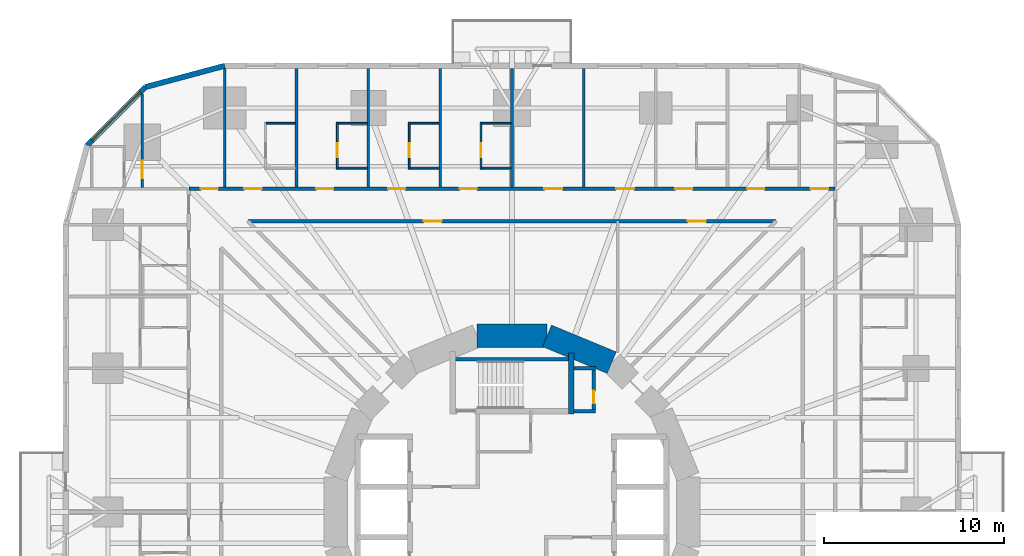
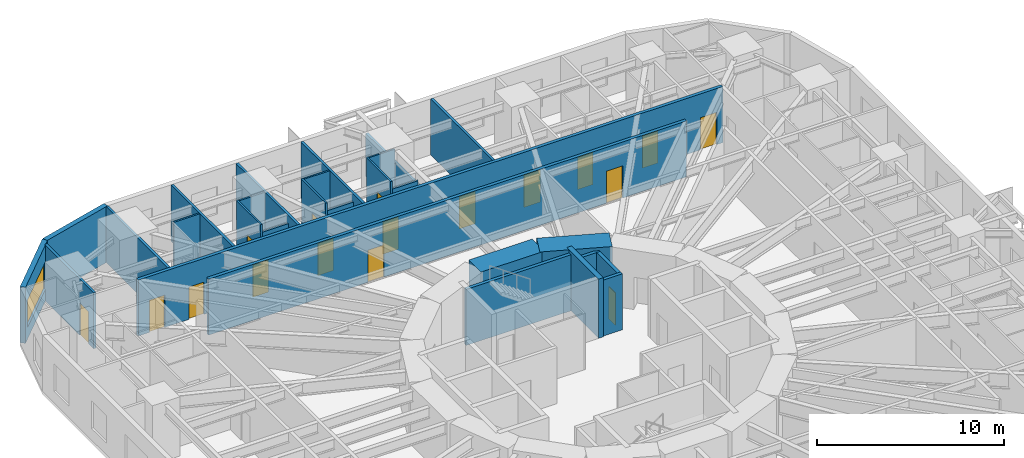
# One storey, part 10 of 14: 28 walls, 17 doors, 1 window, 18 openings.
"""IFC4 building model written with IfcOpenShell, lengths in metres."""

from ifc_helpers import new_model, si_unit, direction, frame, frame_2d, origin, place, context, subcontext, project, spatial, rectangle, extrude, material, layer, layer_set, type_object, element, fill, save


model = new_model("IFC4")

# Units and contexts
model_context = context("Model", 3, precision=1e-05, world=origin(), true_north=direction((0.0, 1.0)))
body_context = subcontext(model_context, "Body", "Model", "MODEL_VIEW")
ifc_project = project(units=[si_unit("LENGTHUNIT", "METRE"), si_unit("AREAUNIT", "SQUARE_METRE"), si_unit("VOLUMEUNIT", "CUBIC_METRE"), si_unit("PLANEANGLEUNIT", "RADIAN"), si_unit("MASSUNIT", "GRAM", prefix="KILO")], contexts=[model_context])

# Site, building, storey
site_placement = place(None, origin())
site = spatial("IfcSite", under=ifc_project, at=site_placement, CompositionType="ELEMENT")
building_placement = place(site_placement, origin())
building = spatial("IfcBuilding", under=site, at=building_placement, Name="Nakasero Lantern House", CompositionType="ELEMENT")
storey_placement = place(building_placement, frame((0.0, 0.0, 42.949951171875)))
storey = spatial("IfcBuildingStorey", under=building, at=storey_placement, Name="L10", CompositionType="ELEMENT", Elevation=42.949951171875)

# Walls
ifc_material_1 = material(Name="Concrete C50/60", Category="concrete")
ifc_layer_1 = layer(ifc_material_1, 0.300048828125)
ifc_layer_set_1 = layer_set([ifc_layer_1], Name="Core inner wall 300")
wall_type_1 = type_object("IfcWallType", Name="Core inner wall 300", PredefinedType="SHEAR", material=ifc_layer_set_1)
wall_1_placement = place(storey_placement, frame((3.300048828125, 5.449951171875, 0.0), z_axis=(0.0, 0.0, 1.0), x_axis=(0.0, 1.0, 0.0)))
element("IfcWall", 1, at=wall_1_placement, inside=storey, type_object=wall_type_1, Name="Core inner wall L10 SNE", PredefinedType="SHEAR", context=body_context, shape_type="SweptSolid", body=[
    extrude(rectangle(XDim=3.400146484375, YDim=0.300048828125, at=frame_2d((1.7001953125, 0.0))), origin(), (0.0, 0.0, 1.0), 3.85009765625),
])
ifc_material_2 = material(Name="Concrete C50/60", Category="concrete")
ifc_layer_2 = layer(ifc_material_2, 1.300048828125)
ifc_layer_set_2 = layer_set([ifc_layer_2], Name="Core wall 1300")
wall_type_2 = type_object("IfcWallType", Name="Core wall 1300", PredefinedType="SHEAR", material=ifc_layer_set_2)
for number, where, z_axis, x_axis, name in (
    (2, (5.5556640625, 8.314697265625, 0.0), (0.0, 0.0, 1.0), (-0.923876507187, 0.382690736062, 0.0), "Core wall L10 facet 3"),
    (3, (1.950927734375, 9.807861328125, 0.0), (0.0, 0.0, 1.0), (-1.0, 0.0, 0.0), "Core wall L10 facet 4"),
):
    element("IfcWall", number, at=place(storey_placement, frame(where, z_axis=z_axis, x_axis=x_axis)), inside=storey, type_object=wall_type_2, Name=name, PredefinedType="SHEAR", context=body_context, shape_type="SweptSolid", body=[
        extrude(rectangle(XDim=3.90185546875, YDim=1.300048828125, at=frame_2d((1.950927734375, 0.0))), origin(), (0.0, 0.0, 1.0), 3.85009765625),
    ])

# Wall, openings, doors
ifc_material_3 = material(Name="Blockwork", Category="masonry")
ifc_layer_3 = layer(ifc_material_3, 0.199951171875)
ifc_layer_set_3 = layer_set([ifc_layer_3], Name="Corridor wall 200")
wall_type_3 = type_object("IfcWallType", Name="Corridor wall 200", PredefinedType="PARTITIONING", material=ifc_layer_set_3)
wall_2_placement = place(storey_placement, frame((18.0, 18.0, 0.0), z_axis=(0.0, 0.0, 1.0), x_axis=(-1.0, 0.0, 0.0)))
wall_2 = element("IfcWall", 4, at=wall_2_placement, inside=storey, type_object=wall_type_3, Name="Corridor wall L10 CW1", PredefinedType="PARTITIONING", context=body_context, shape_type="SweptSolid", body=[
    extrude(rectangle(XDim=36.0, YDim=0.199951171875, at=frame_2d((18.0, 0.0))), origin(), (0.0, 0.0, 1.0), 3.650146484375),
])
opening_1_placement = place(wall_2_placement, frame((0.375, 0.0, 0.0)))
opening_1 = element("IfcOpeningElement", 5, at=opening_1_placement, cuts=wall_2, Name="Opening D07", PredefinedType="OPENING", context=body_context, shape_type="SweptSolid", body=[
    extrude(rectangle(XDim=1.0, YDim=2.10009765625, at=frame_2d((0.5, 1.050048828125))), frame((0.0, 0.119873046875, 0.0), z_axis=(0.0, -1.0, 0.0), x_axis=(1.0, 0.0, 0.0)), (0.0, 0.0, 1.0), 0.239990234375),
])
opening_2_placement = place(wall_2_placement, frame((3.949951171875, 0.0, 0.0)))
opening_2 = element("IfcOpeningElement", 6, at=opening_2_placement, cuts=wall_2, Name="Opening D01", PredefinedType="OPENING", context=body_context, shape_type="SweptSolid", body=[
    extrude(rectangle(XDim=0.949951171875, YDim=2.10009765625, at=frame_2d((0.47509765625, 1.050048828125))), frame((0.0, 0.119873046875, 0.0), z_axis=(0.0, -1.0, 0.0), x_axis=(1.0, 0.0, 0.0)), (0.0, 0.0, 1.0), 0.239990234375),
])
opening_3_placement = place(wall_2_placement, frame((7.949951171875, 0.0, 0.0)))
opening_3 = element("IfcOpeningElement", 7, at=opening_3_placement, cuts=wall_2, Name="Opening D01", PredefinedType="OPENING", context=body_context, shape_type="SweptSolid", body=[
    extrude(rectangle(XDim=0.949951171875, YDim=2.10009765625, at=frame_2d((0.47509765625, 1.050048828125))), frame((0.0, 0.119873046875, 0.0), z_axis=(0.0, -1.0, 0.0), x_axis=(1.0, 0.0, 0.0)), (0.0, 0.0, 1.0), 0.239990234375),
])
opening_4_placement = place(wall_2_placement, frame((19.949951171875, 0.0, 0.0)))
opening_4 = element("IfcOpeningElement", 8, at=opening_4_placement, cuts=wall_2, Name="Opening D01", PredefinedType="OPENING", context=body_context, shape_type="SweptSolid", body=[
    extrude(rectangle(XDim=0.949951171875, YDim=2.10009765625, at=frame_2d((0.47509765625, 1.050048828125))), frame((0.0, 0.119873046875, 0.0), z_axis=(0.0, -1.0, 0.0), x_axis=(1.0, 0.0, 0.0)), (0.0, 0.0, 1.0), 0.239990234375),
])
opening_5_placement = place(wall_2_placement, frame((23.949951171875, 0.0, 0.0)))
opening_5 = element("IfcOpeningElement", 9, at=opening_5_placement, cuts=wall_2, Name="Opening D01", PredefinedType="OPENING", context=body_context, shape_type="SweptSolid", body=[
    extrude(rectangle(XDim=0.949951171875, YDim=2.10009765625, at=frame_2d((0.47509765625, 1.050048828125))), frame((0.0, 0.119873046875, 0.0), z_axis=(0.0, -1.0, 0.0), x_axis=(1.0, 0.0, 0.0)), (0.0, 0.0, 1.0), 0.239990234375),
])
opening_6_placement = place(wall_2_placement, frame((27.949951171875, 0.0, 0.0)))
opening_6 = element("IfcOpeningElement", 10, at=opening_6_placement, cuts=wall_2, Name="Opening D01", PredefinedType="OPENING", context=body_context, shape_type="SweptSolid", body=[
    extrude(rectangle(XDim=0.949951171875, YDim=2.10009765625, at=frame_2d((0.47509765625, 1.050048828125))), frame((0.0, 0.119873046875, 0.0), z_axis=(0.0, -1.0, 0.0), x_axis=(1.0, 0.0, 0.0)), (0.0, 0.0, 1.0), 0.239990234375),
])
opening_7_placement = place(wall_2_placement, frame((31.949951171875, 0.0, 0.0)))
opening_7 = element("IfcOpeningElement", 11, at=opening_7_placement, cuts=wall_2, Name="Opening D01", PredefinedType="OPENING", context=body_context, shape_type="SweptSolid", body=[
    extrude(rectangle(XDim=0.949951171875, YDim=2.10009765625, at=frame_2d((0.47509765625, 1.050048828125))), frame((0.0, 0.119873046875, 0.0), z_axis=(0.0, -1.0, 0.0), x_axis=(1.0, 0.0, 0.0)), (0.0, 0.0, 1.0), 0.239990234375),
])
opening_8_placement = place(wall_2_placement, frame((34.375, 0.0, 0.0)))
opening_8 = element("IfcOpeningElement", 12, at=opening_8_placement, cuts=wall_2, Name="Opening D01", PredefinedType="OPENING", context=body_context, shape_type="SweptSolid", body=[
    extrude(rectangle(XDim=0.949951171875, YDim=2.10009765625, at=frame_2d((0.47509765625, 1.050048828125))), frame((0.0, 0.119873046875, 0.0), z_axis=(0.0, -1.0, 0.0), x_axis=(1.0, 0.0, 0.0)), (0.0, 0.0, 1.0), 0.239990234375),
])
opening_9_placement = place(wall_2_placement, frame((11.199951171875, 0.0, 0.0)))
opening_9 = element("IfcOpeningElement", 13, at=opening_9_placement, cuts=wall_2, Name="Opening D03", PredefinedType="OPENING", context=body_context, shape_type="SweptSolid", body=[
    extrude(rectangle(XDim=1.0, YDim=2.10009765625, at=frame_2d((0.5, 1.050048828125))), frame((0.0, 0.119873046875, 0.0), z_axis=(0.0, -1.0, 0.0), x_axis=(1.0, 0.0, 0.0)), (0.0, 0.0, 1.0), 0.239990234375),
])
opening_10_placement = place(wall_2_placement, frame((15.199951171875, 0.0, 0.0)))
opening_10 = element("IfcOpeningElement", 14, at=opening_10_placement, cuts=wall_2, Name="Opening D03", PredefinedType="OPENING", context=body_context, shape_type="SweptSolid", body=[
    extrude(rectangle(XDim=1.0, YDim=2.10009765625, at=frame_2d((0.5, 1.050048828125))), frame((0.0, 0.119873046875, 0.0), z_axis=(0.0, -1.0, 0.0), x_axis=(1.0, 0.0, 0.0)), (0.0, 0.0, 1.0), 0.239990234375),
])
ifc_material_4 = material(Name="Timber C24", Category="wood")
door_type_1 = type_object("IfcDoorType", Name="Bedroom door FD30S 950", OperationType="SINGLE_SWING_LEFT", PredefinedType="DOOR", material=ifc_material_4)
door_1_placement = place(opening_2_placement, origin())
door_1 = element("IfcDoor", 15, at=door_1_placement, inside=storey, type_object=door_type_1, Name="Door L10 D1-01", OperationType="SINGLE_SWING_LEFT", OverallHeight=2.10009765625, OverallWidth=0.949951171875, PredefinedType="DOOR", context=body_context, shape_type="SweptSolid", body=[
    extrude(rectangle(XDim=0.949951171875, YDim=2.10009765625, at=frame_2d((0.47509765625, 1.050048828125))), frame((0.0, 0.02490234375, 0.0), z_axis=(0.0, -1.0, 0.0), x_axis=(1.0, 0.0, 0.0)), (0.0, 0.0, 1.0), 0.050048828125),
])
fill(opening_2, door_1)
door_2_placement = place(opening_3_placement, origin())
door_2 = element("IfcDoor", 16, at=door_2_placement, inside=storey, type_object=door_type_1, Name="Door L10 D1-02", OperationType="SINGLE_SWING_LEFT", OverallHeight=2.10009765625, OverallWidth=0.949951171875, PredefinedType="DOOR", context=body_context, shape_type="SweptSolid", body=[
    extrude(rectangle(XDim=0.949951171875, YDim=2.10009765625, at=frame_2d((0.47509765625, 1.050048828125))), frame((0.0, 0.02490234375, 0.0), z_axis=(0.0, -1.0, 0.0), x_axis=(1.0, 0.0, 0.0)), (0.0, 0.0, 1.0), 0.050048828125),
])
fill(opening_3, door_2)
door_3_placement = place(opening_4_placement, origin())
door_3 = element("IfcDoor", 17, at=door_3_placement, inside=storey, type_object=door_type_1, Name="Door L10 D1-05", OperationType="SINGLE_SWING_RIGHT", OverallHeight=2.10009765625, OverallWidth=0.949951171875, PredefinedType="DOOR", context=body_context, shape_type="SweptSolid", body=[
    extrude(rectangle(XDim=0.949951171875, YDim=2.10009765625, at=frame_2d((0.47509765625, 1.050048828125))), frame((0.0, 0.02490234375, 0.0), z_axis=(0.0, -1.0, 0.0), x_axis=(1.0, 0.0, 0.0)), (0.0, 0.0, 1.0), 0.050048828125),
])
fill(opening_4, door_3)
door_4_placement = place(opening_5_placement, origin())
door_4 = element("IfcDoor", 18, at=door_4_placement, inside=storey, type_object=door_type_1, Name="Door L10 D1-06", OperationType="SINGLE_SWING_RIGHT", OverallHeight=2.10009765625, OverallWidth=0.949951171875, PredefinedType="DOOR", context=body_context, shape_type="SweptSolid", body=[
    extrude(rectangle(XDim=0.949951171875, YDim=2.10009765625, at=frame_2d((0.47509765625, 1.050048828125))), frame((0.0, 0.02490234375, 0.0), z_axis=(0.0, -1.0, 0.0), x_axis=(1.0, 0.0, 0.0)), (0.0, 0.0, 1.0), 0.050048828125),
])
fill(opening_5, door_4)
door_5_placement = place(opening_6_placement, origin())
door_5 = element("IfcDoor", 19, at=door_5_placement, inside=storey, type_object=door_type_1, Name="Door L10 D1-07", OperationType="SINGLE_SWING_RIGHT", OverallHeight=2.10009765625, OverallWidth=0.949951171875, PredefinedType="DOOR", context=body_context, shape_type="SweptSolid", body=[
    extrude(rectangle(XDim=0.949951171875, YDim=2.10009765625, at=frame_2d((0.47509765625, 1.050048828125))), frame((0.0, 0.02490234375, 0.0), z_axis=(0.0, -1.0, 0.0), x_axis=(1.0, 0.0, 0.0)), (0.0, 0.0, 1.0), 0.050048828125),
])
fill(opening_6, door_5)
door_6_placement = place(opening_7_placement, origin())
door_6 = element("IfcDoor", 20, at=door_6_placement, inside=storey, type_object=door_type_1, Name="Door L10 D1-08", OperationType="SINGLE_SWING_RIGHT", OverallHeight=2.10009765625, OverallWidth=0.949951171875, PredefinedType="DOOR", context=body_context, shape_type="SweptSolid", body=[
    extrude(rectangle(XDim=0.949951171875, YDim=2.10009765625, at=frame_2d((0.47509765625, 1.050048828125))), frame((0.0, 0.02490234375, 0.0), z_axis=(0.0, -1.0, 0.0), x_axis=(1.0, 0.0, 0.0)), (0.0, 0.0, 1.0), 0.050048828125),
])
fill(opening_7, door_6)
door_7_placement = place(opening_8_placement, origin())
door_7 = element("IfcDoor", 21, at=door_7_placement, inside=storey, type_object=door_type_1, Name="Door L10 D1-09", OperationType="SINGLE_SWING_RIGHT", OverallHeight=2.10009765625, OverallWidth=0.949951171875, PredefinedType="DOOR", context=body_context, shape_type="SweptSolid", body=[
    extrude(rectangle(XDim=0.949951171875, YDim=2.10009765625, at=frame_2d((0.47509765625, 1.050048828125))), frame((0.0, 0.02490234375, 0.0), z_axis=(0.0, -1.0, 0.0), x_axis=(1.0, 0.0, 0.0)), (0.0, 0.0, 1.0), 0.050048828125),
])
fill(opening_8, door_7)
ifc_material_5 = material(Name="Timber C24", Category="wood")
door_type_2 = type_object("IfcDoorType", Name="Lounge door FD30S 1000", OperationType="SINGLE_SWING_LEFT", PredefinedType="DOOR", material=ifc_material_5)
door_8_placement = place(opening_9_placement, origin())
door_8 = element("IfcDoor", 22, at=door_8_placement, inside=storey, type_object=door_type_2, Name="Door L10 DK1", OperationType="SINGLE_SWING_LEFT", OverallHeight=2.10009765625, OverallWidth=1.0, PredefinedType="DOOR", context=body_context, shape_type="SweptSolid", body=[
    extrude(rectangle(XDim=1.0, YDim=2.10009765625, at=frame_2d((0.5, 1.050048828125))), frame((0.0, 0.02490234375, 0.0), z_axis=(0.0, -1.0, 0.0), x_axis=(1.0, 0.0, 0.0)), (0.0, 0.0, 1.0), 0.050048828125),
])
fill(opening_9, door_8)
door_9_placement = place(opening_10_placement, origin())
door_9 = element("IfcDoor", 23, at=door_9_placement, inside=storey, type_object=door_type_2, Name="Door L10 DK1-1", OperationType="SINGLE_SWING_LEFT", OverallHeight=2.10009765625, OverallWidth=1.0, PredefinedType="DOOR", context=body_context, shape_type="SweptSolid", body=[
    extrude(rectangle(XDim=1.0, YDim=2.10009765625, at=frame_2d((0.5, 1.050048828125))), frame((0.0, 0.02490234375, 0.0), z_axis=(0.0, -1.0, 0.0), x_axis=(1.0, 0.0, 0.0)), (0.0, 0.0, 1.0), 0.050048828125),
])
fill(opening_10, door_9)
ifc_material_6 = material(Name="Timber C24", Category="wood")
door_type_3 = type_object("IfcDoorType", Name="Room door FD30S 1000", OperationType="SINGLE_SWING_LEFT", PredefinedType="DOOR", material=ifc_material_6)
door_10_placement = place(opening_1_placement, origin())
door_10 = element("IfcDoor", 24, at=door_10_placement, inside=storey, type_object=door_type_3, Name="Door L10 D1-00", OperationType="SINGLE_SWING_LEFT", OverallHeight=2.10009765625, OverallWidth=1.0, PredefinedType="DOOR", context=body_context, shape_type="SweptSolid", body=[
    extrude(rectangle(XDim=1.0, YDim=2.10009765625, at=frame_2d((0.5, 1.050048828125))), frame((0.0, 0.02490234375, 0.0), z_axis=(0.0, -1.0, 0.0), x_axis=(1.0, 0.0, 0.0)), (0.0, 0.0, 1.0), 0.050048828125),
])
fill(opening_1, door_10)

wall_3_placement = place(storey_placement, frame((14.715087890625, 16.199951171875, 0.0), z_axis=(0.0, 0.0, 1.0), x_axis=(-1.0, 0.0, 0.0)))
wall_3 = element("IfcWall", 25, at=wall_3_placement, inside=storey, type_object=wall_type_3, Name="Corridor wall L10 IW1-0", PredefinedType="PARTITIONING", context=body_context, shape_type="SweptSolid", body=[
    extrude(rectangle(XDim=29.43017578125, YDim=0.199951171875, at=frame_2d((14.715087890625, 0.0))), origin(), (0.0, 0.0, 1.0), 3.650146484375),
])
opening_11_placement = place(wall_3_placement, frame((3.91455078125, 0.0, 0.0)))
opening_11 = element("IfcOpeningElement", 26, at=opening_11_placement, cuts=wall_3, Name="Opening D07", PredefinedType="OPENING", context=body_context, shape_type="SweptSolid", body=[
    extrude(rectangle(XDim=1.0, YDim=2.10009765625, at=frame_2d((0.5, 1.050048828125))), frame((0.0, 0.119873046875, 0.0), z_axis=(0.0, -1.0, 0.0), x_axis=(1.0, 0.0, 0.0)), (0.0, 0.0, 1.0), 0.239990234375),
])
opening_12_placement = place(wall_3_placement, frame((18.629638671875, 0.0, 0.0)))
opening_12 = element("IfcOpeningElement", 27, at=opening_12_placement, cuts=wall_3, Name="Opening D07", PredefinedType="OPENING", context=body_context, shape_type="SweptSolid", body=[
    extrude(rectangle(XDim=1.0, YDim=2.10009765625, at=frame_2d((0.5, 1.050048828125))), frame((0.0, 0.119873046875, 0.0), z_axis=(0.0, -1.0, 0.0), x_axis=(1.0, 0.0, 0.0)), (0.0, 0.0, 1.0), 0.239990234375),
])
door_11_placement = place(opening_11_placement, origin())
door_11 = element("IfcDoor", 28, at=door_11_placement, inside=storey, type_object=door_type_3, Name="Door L10 DI2", OperationType="SINGLE_SWING_LEFT", OverallHeight=2.10009765625, OverallWidth=1.0, PredefinedType="DOOR", context=body_context, shape_type="SweptSolid", body=[
    extrude(rectangle(XDim=1.0, YDim=2.10009765625, at=frame_2d((0.5, 1.050048828125))), frame((0.0, 0.02490234375, 0.0), z_axis=(0.0, -1.0, 0.0), x_axis=(1.0, 0.0, 0.0)), (0.0, 0.0, 1.0), 0.050048828125),
])
fill(opening_11, door_11)
door_12_placement = place(opening_12_placement, origin())
door_12 = element("IfcDoor", 29, at=door_12_placement, inside=storey, type_object=door_type_3, Name="Door L10 DI2S", OperationType="SINGLE_SWING_RIGHT", OverallHeight=2.10009765625, OverallWidth=1.0, PredefinedType="DOOR", context=body_context, shape_type="SweptSolid", body=[
    extrude(rectangle(XDim=1.0, YDim=2.10009765625, at=frame_2d((0.5, 1.050048828125))), frame((0.0, 0.02490234375, 0.0), z_axis=(0.0, -1.0, 0.0), x_axis=(1.0, 0.0, 0.0)), (0.0, 0.0, 1.0), 0.050048828125),
])
fill(opening_12, door_12)

# Wall, opening, door
ifc_material_7 = material(Name="Blockwork", Category="masonry")
ifc_layer_4 = layer(ifc_material_7, 0.10009765625)
ifc_layer_set_4 = layer_set([ifc_layer_4], Name="En-suite wall 100")
wall_type_4 = type_object("IfcWallType", Name="En-suite wall 100", PredefinedType="PARTITIONING", material=ifc_layer_set_4)
wall_4_placement = place(storey_placement, frame((-1.72509765625, 19.10009765625, 0.0), z_axis=(0.0, 0.0, 1.0), x_axis=(0.0, 1.0, 0.0)))
wall_4 = element("IfcWall", 30, at=wall_4_placement, inside=storey, type_object=wall_type_4, Name="En-suite wall L10 ES1-05", PredefinedType="PARTITIONING", context=body_context, shape_type="SweptSolid", body=[
    extrude(rectangle(XDim=2.599853515625, YDim=0.10009765625, at=frame_2d((1.2998046875, 0.0))), origin(), (0.0, 0.0, 1.0), 3.650146484375),
])
opening_13_placement = place(wall_4_placement, frame((0.64990234375, 0.0, 0.0)))
opening_13 = element("IfcOpeningElement", 31, at=opening_13_placement, cuts=wall_4, Name="Opening D02", PredefinedType="OPENING", context=body_context, shape_type="SweptSolid", body=[
    extrude(rectangle(XDim=0.800048828125, YDim=2.10009765625, at=frame_2d((0.39990234375, 1.050048828125))), frame((0.0, 0.070068359375, 0.0), z_axis=(0.0, -1.0, 0.0), x_axis=(1.0, 0.0, 0.0)), (0.0, 0.0, 1.0), 0.14013671875),
])
ifc_material_8 = material(Name="Timber C24", Category="wood")
door_type_4 = type_object("IfcDoorType", Name="En-suite door 800", OperationType="SINGLE_SWING_RIGHT", PredefinedType="DOOR", material=ifc_material_8)
door_13_placement = place(opening_13_placement, origin())
door_13 = element("IfcDoor", 32, at=door_13_placement, inside=storey, type_object=door_type_4, Name="Door L10 DE1-05", OperationType="SINGLE_SWING_LEFT", OverallHeight=2.10009765625, OverallWidth=0.800048828125, PredefinedType="DOOR", context=body_context, shape_type="SweptSolid", body=[
    extrude(rectangle(XDim=0.800048828125, YDim=2.10009765625, at=frame_2d((0.39990234375, 1.050048828125))), frame((0.0, 0.02490234375, 0.0), z_axis=(0.0, -1.0, 0.0), x_axis=(1.0, 0.0, 0.0)), (0.0, 0.0, 1.0), 0.050048828125),
])
fill(opening_13, door_13)

# Walls
wall_5_placement = place(storey_placement, frame((-0.074951171875, 21.64990234375, 0.0), z_axis=(0.0, 0.0, 1.0), x_axis=(-1.0, 0.0, 0.0)))
element("IfcWall", 33, at=wall_5_placement, inside=storey, type_object=wall_type_4, Name="En-suite wall L10 EE1-05", PredefinedType="PARTITIONING", context=body_context, shape_type="SweptSolid", body=[
    extrude(rectangle(XDim=1.60009765625, YDim=0.10009765625, at=frame_2d((0.800048828125, 0.0))), origin(), (0.0, 0.0, 1.0), 3.650146484375),
])
wall_6_placement = place(storey_placement, frame((-0.074951171875, 19.14990234375, 0.0), z_axis=(0.0, 0.0, 1.0), x_axis=(-1.0, 0.0, 0.0)))
element("IfcWall", 34, at=wall_6_placement, inside=storey, type_object=wall_type_4, Name="En-suite wall L10 EI1-05", PredefinedType="PARTITIONING", context=body_context, shape_type="SweptSolid", body=[
    extrude(rectangle(XDim=1.60009765625, YDim=0.10009765625, at=frame_2d((0.800048828125, 0.0))), origin(), (0.0, 0.0, 1.0), 3.121826171875),
])

# Wall, opening, door
wall_7_placement = place(storey_placement, frame((-5.72509765625, 19.10009765625, 0.0), z_axis=(0.0, 0.0, 1.0), x_axis=(0.0, 1.0, 0.0)))
wall_7 = element("IfcWall", 35, at=wall_7_placement, inside=storey, type_object=wall_type_4, Name="En-suite wall L10 ES1-06", PredefinedType="PARTITIONING", context=body_context, shape_type="SweptSolid", body=[
    extrude(rectangle(XDim=2.599853515625, YDim=0.10009765625, at=frame_2d((1.2998046875, 0.0))), origin(), (0.0, 0.0, 1.0), 3.650146484375),
])
opening_14_placement = place(wall_7_placement, frame((0.64990234375, 0.0, 0.0)))
opening_14 = element("IfcOpeningElement", 36, at=opening_14_placement, cuts=wall_7, Name="Opening D02", PredefinedType="OPENING", context=body_context, shape_type="SweptSolid", body=[
    extrude(rectangle(XDim=0.800048828125, YDim=2.10009765625, at=frame_2d((0.39990234375, 1.050048828125))), frame((0.0, 0.070068359375, 0.0), z_axis=(0.0, -1.0, 0.0), x_axis=(1.0, 0.0, 0.0)), (0.0, 0.0, 1.0), 0.14013671875),
])
door_14_placement = place(opening_14_placement, origin())
door_14 = element("IfcDoor", 37, at=door_14_placement, inside=storey, type_object=door_type_4, Name="Door L10 DE1-06", OperationType="SINGLE_SWING_LEFT", OverallHeight=2.10009765625, OverallWidth=0.800048828125, PredefinedType="DOOR", context=body_context, shape_type="SweptSolid", body=[
    extrude(rectangle(XDim=0.800048828125, YDim=2.10009765625, at=frame_2d((0.39990234375, 1.050048828125))), frame((0.0, 0.02490234375, 0.0), z_axis=(0.0, -1.0, 0.0), x_axis=(1.0, 0.0, 0.0)), (0.0, 0.0, 1.0), 0.050048828125),
])
fill(opening_14, door_14)

# Walls
wall_8_placement = place(storey_placement, frame((-4.074951171875, 21.64990234375, 0.0), z_axis=(0.0, 0.0, 1.0), x_axis=(-1.0, 0.0, 0.0)))
element("IfcWall", 38, at=wall_8_placement, inside=storey, type_object=wall_type_4, Name="En-suite wall L10 EE1-06", PredefinedType="PARTITIONING", context=body_context, shape_type="SweptSolid", body=[
    extrude(rectangle(XDim=1.60009765625, YDim=0.10009765625, at=frame_2d((0.800048828125, 0.0))), origin(), (0.0, 0.0, 1.0), 3.650146484375),
])
wall_9_placement = place(storey_placement, frame((-4.074951171875, 19.14990234375, 0.0), z_axis=(0.0, 0.0, 1.0), x_axis=(-1.0, 0.0, 0.0)))
element("IfcWall", 39, at=wall_9_placement, inside=storey, type_object=wall_type_4, Name="En-suite wall L10 EI1-06", PredefinedType="PARTITIONING", context=body_context, shape_type="SweptSolid", body=[
    extrude(rectangle(XDim=1.60009765625, YDim=0.10009765625, at=frame_2d((0.800048828125, 0.0))), origin(), (0.0, 0.0, 1.0), 3.121826171875),
])

# Wall, opening, door
wall_10_placement = place(storey_placement, frame((-9.72509765625, 19.10009765625, 0.0), z_axis=(0.0, 0.0, 1.0), x_axis=(0.0, 1.0, 0.0)))
wall_10 = element("IfcWall", 40, at=wall_10_placement, inside=storey, type_object=wall_type_4, Name="En-suite wall L10 ES1-07", PredefinedType="PARTITIONING", context=body_context, shape_type="SweptSolid", body=[
    extrude(rectangle(XDim=2.599853515625, YDim=0.10009765625, at=frame_2d((1.2998046875, 0.0))), origin(), (0.0, 0.0, 1.0), 3.650146484375),
])
opening_15_placement = place(wall_10_placement, frame((0.64990234375, 0.0, 0.0)))
opening_15 = element("IfcOpeningElement", 41, at=opening_15_placement, cuts=wall_10, Name="Opening D02", PredefinedType="OPENING", context=body_context, shape_type="SweptSolid", body=[
    extrude(rectangle(XDim=0.800048828125, YDim=2.10009765625, at=frame_2d((0.39990234375, 1.050048828125))), frame((0.0, 0.070068359375, 0.0), z_axis=(0.0, -1.0, 0.0), x_axis=(1.0, 0.0, 0.0)), (0.0, 0.0, 1.0), 0.14013671875),
])
door_15_placement = place(opening_15_placement, origin())
door_15 = element("IfcDoor", 42, at=door_15_placement, inside=storey, type_object=door_type_4, Name="Door L10 DE1-07", OperationType="SINGLE_SWING_LEFT", OverallHeight=2.10009765625, OverallWidth=0.800048828125, PredefinedType="DOOR", context=body_context, shape_type="SweptSolid", body=[
    extrude(rectangle(XDim=0.800048828125, YDim=2.10009765625, at=frame_2d((0.39990234375, 1.050048828125))), frame((0.0, 0.02490234375, 0.0), z_axis=(0.0, -1.0, 0.0), x_axis=(1.0, 0.0, 0.0)), (0.0, 0.0, 1.0), 0.050048828125),
])
fill(opening_15, door_15)

# Walls
wall_11_placement = place(storey_placement, frame((-8.074951171875, 21.64990234375, 0.0), z_axis=(0.0, 0.0, 1.0), x_axis=(-1.0, 0.0, 0.0)))
element("IfcWall", 43, at=wall_11_placement, inside=storey, type_object=wall_type_4, Name="En-suite wall L10 EE1-07", PredefinedType="PARTITIONING", context=body_context, shape_type="SweptSolid", body=[
    extrude(rectangle(XDim=1.60009765625, YDim=0.10009765625, at=frame_2d((0.800048828125, 0.0))), origin(), (0.0, 0.0, 1.0), 3.650146484375),
])
wall_12_placement = place(storey_placement, frame((-8.074951171875, 19.14990234375, 0.0), z_axis=(0.0, 0.0, 1.0), x_axis=(-1.0, 0.0, 0.0)))
element("IfcWall", 44, at=wall_12_placement, inside=storey, type_object=wall_type_4, Name="En-suite wall L10 EI1-07", PredefinedType="PARTITIONING", context=body_context, shape_type="SweptSolid", body=[
    extrude(rectangle(XDim=1.60009765625, YDim=0.10009765625, at=frame_2d((0.800048828125, 0.0))), origin(), (0.0, 0.0, 1.0), 3.121826171875),
])
wall_13_placement = place(storey_placement, frame((-12.074951171875, 21.64990234375, 0.0), z_axis=(0.0, 0.0, 1.0), x_axis=(-1.0, 0.0, 0.0)))
element("IfcWall", 45, at=wall_13_placement, inside=storey, type_object=wall_type_4, Name="En-suite wall L10 EE1-08", PredefinedType="PARTITIONING", context=body_context, shape_type="SweptSolid", body=[
    extrude(rectangle(XDim=1.60009765625, YDim=0.10009765625, at=frame_2d((0.800048828125, 0.0))), origin(), (0.0, 0.0, 1.0), 3.650146484375),
])
ifc_material_9 = material(Name="Aluminium rainscreen on blockwork", Category="masonry")
ifc_layer_5 = layer(ifc_material_9, 0.300048828125)
ifc_layer_set_5 = layer_set([ifc_layer_5], Name="Facade wall 300")
wall_type_5 = type_object("IfcWallType", Name="Facade wall 300", PredefinedType="SOLIDWALL", material=ifc_layer_set_5)
wall_14_placement = place(storey_placement, frame((-16.0, 24.85009765625, 0.0), z_axis=(0.0, 0.0, 1.0), x_axis=(-0.965920218567, -0.258839972501, 0.0)))
element("IfcWall", 46, at=wall_14_placement, inside=storey, type_object=wall_type_5, Name="Facade wall L10 FW1C1", PredefinedType="SOLIDWALL", context=body_context, shape_type="SweptSolid", body=[
    extrude(rectangle(XDim=4.5810546875, YDim=0.300048828125, at=frame_2d((2.29052734375, 0.0))), origin(), (0.0, 0.0, 1.0), 3.650146484375),
])

# Wall, opening, window
wall_15_placement = place(storey_placement, frame((-20.425048828125, 23.664306640625, 0.0), z_axis=(0.0, 0.0, 1.0), x_axis=(-0.707106781187, -0.707106781187, 0.0)))
wall_15 = element("IfcWall", 47, at=wall_15_placement, inside=storey, type_object=wall_type_5, Name="Facade wall L10 FW1C2", PredefinedType="SOLIDWALL", context=body_context, shape_type="SweptSolid", body=[
    extrude(rectangle(XDim=4.5810546875, YDim=0.300048828125, at=frame_2d((2.29052734375, 0.0))), origin(), (0.0, 0.0, 1.0), 3.650146484375),
])
opening_16_placement = place(wall_15_placement, frame((0.39990234375, 0.0, 0.75)))
opening_16 = element("IfcOpeningElement", 48, at=opening_16_placement, cuts=wall_15, Name="Opening W237", PredefinedType="OPENING", context=body_context, shape_type="SweptSolid", body=[
    extrude(rectangle(XDim=3.781005859375, YDim=1.800048828125, at=frame_2d((1.890625, 0.89990234375))), frame((0.0, 0.169921875, 0.0), z_axis=(0.0, -1.0, 0.0), x_axis=(1.0, 0.0, 0.0)), (0.0, 0.0, 1.0), 0.340087890625),
])
ifc_material_10 = material(Name="Aluminium 6063-T6 and glass", Category="aluminium")
window_type = type_object("IfcWindowType", Name="Corner window 3781x1800", PartitioningType="SINGLE_PANEL", PredefinedType="WINDOW", material=ifc_material_10)
window_placement = place(opening_16_placement, origin())
window = element("IfcWindow", 49, at=window_placement, inside=storey, type_object=window_type, Name="Window L10 WC1", OverallHeight=1.800048828125, OverallWidth=3.781005859375, PartitioningType="SINGLE_PANEL", PredefinedType="WINDOW", context=body_context, shape_type="SweptSolid", body=[
    extrude(rectangle(XDim=3.781005859375, YDim=1.800048828125, at=frame_2d((1.890625, 0.89990234375))), frame((0.0, 0.030029296875, 0.0), z_axis=(0.0, -1.0, 0.0), x_axis=(1.0, 0.0, 0.0)), (0.0, 0.0, 1.0), 0.06005859375),
])
fill(opening_16, window)

# Wall, opening, door
ifc_material_11 = material(Name="Blockwork", Category="masonry")
ifc_layer_6 = layer(ifc_material_11, 0.199951171875)
ifc_layer_set_6 = layer_set([ifc_layer_6], Name="Fire lobby wall 200")
wall_type_6 = type_object("IfcWallType", Name="Fire lobby wall 200", PredefinedType="PARTITIONING", material=ifc_layer_set_6)
wall_16_placement = place(storey_placement, frame((4.550048828125, 5.60009765625, 0.0), z_axis=(0.0, 0.0, 1.0), x_axis=(0.0, 1.0, 0.0)))
wall_16 = element("IfcWall", 50, at=wall_16_placement, inside=storey, type_object=wall_type_6, Name="Fire lobby wall L10 W-RS1E", PredefinedType="PARTITIONING", context=body_context, shape_type="SweptSolid", body=[
    extrude(rectangle(XDim=2.39990234375, YDim=0.199951171875, at=frame_2d((1.199951171875, 0.0))), origin(), (0.0, 0.0, 1.0), 3.650146484375),
])
opening_17_placement = place(wall_16_placement, frame((0.449951171875, 0.0, 0.0)))
opening_17 = element("IfcOpeningElement", 51, at=opening_17_placement, cuts=wall_16, Name="Opening D06", PredefinedType="OPENING", context=body_context, shape_type="SweptSolid", body=[
    extrude(rectangle(XDim=0.699951171875, YDim=2.10009765625, at=frame_2d((0.35009765625, 1.050048828125))), frame((0.0, 0.119873046875, 0.0), z_axis=(0.0, -1.0, 0.0), x_axis=(1.0, 0.0, 0.0)), (0.0, 0.0, 1.0), 0.239990234375),
])
ifc_material_12 = material(Name="Steel S355", Category="steel")
door_type_5 = type_object("IfcDoorType", Name="Riser door FD60 700", OperationType="SINGLE_SWING_LEFT", PredefinedType="DOOR", material=ifc_material_12)
door_16_placement = place(opening_17_placement, origin())
door_16 = element("IfcDoor", 52, at=door_16_placement, inside=storey, type_object=door_type_5, Name="Door L10 D-RS1", OperationType="SINGLE_SWING_LEFT", OverallHeight=2.10009765625, OverallWidth=0.699951171875, PredefinedType="DOOR", context=body_context, shape_type="SweptSolid", body=[
    extrude(rectangle(XDim=0.699951171875, YDim=2.10009765625, at=frame_2d((0.35009765625, 1.050048828125))), frame((0.0, 0.02490234375, 0.0), z_axis=(0.0, -1.0, 0.0), x_axis=(1.0, 0.0, 0.0)), (0.0, 0.0, 1.0), 0.050048828125),
])
fill(opening_17, door_16)

# Walls
for number, where, z_axis, x_axis, name in (
    (53, (3.449951171875, 8.0, 0.0), (0.0, 0.0, 1.0), (1.0, 0.0, 0.0), "Fire lobby wall L10 W-RS1N"),
    (54, (3.449951171875, 5.60009765625, 0.0), (0.0, 0.0, 1.0), (1.0, 0.0, 0.0), "Fire lobby wall L10 W-RS1S"),
):
    element("IfcWall", number, at=place(storey_placement, frame(where, z_axis=z_axis, x_axis=x_axis)), inside=storey, type_object=wall_type_6, Name=name, PredefinedType="PARTITIONING", context=body_context, shape_type="SweptSolid", body=[
        extrude(rectangle(XDim=1.199951171875, YDim=0.199951171875, at=frame_2d((0.60009765625, 0.0))), origin(), (0.0, 0.0, 1.0), 3.650146484375),
    ])
wall_17_placement = place(storey_placement, frame((-3.300048828125, 8.5, 0.0), z_axis=(0.0, 0.0, 1.0), x_axis=(1.0, 0.0, 0.0)))
element("IfcWall", 55, at=wall_17_placement, inside=storey, type_object=wall_type_6, Name="Fire lobby wall L10 W-STN", PredefinedType="PARTITIONING", context=body_context, shape_type="SweptSolid", body=[
    extrude(rectangle(XDim=6.60009765625, YDim=0.199951171875, at=frame_2d((3.300048828125, 0.0))), origin(), (0.0, 0.0, 1.0), 3.650146484375),
])
ifc_material_13 = material(Name="Blockwork", Category="masonry")
ifc_layer_7 = layer(ifc_material_13, 0.14990234375)
ifc_layer_set_7 = layer_set([ifc_layer_7], Name="Party wall 150")
wall_type_7 = type_object("IfcWallType", Name="Party wall 150", PredefinedType="PARTITIONING", material=ifc_layer_set_7)
wall_18_placement = place(storey_placement, frame((4.0, 18.10009765625, 0.0), z_axis=(0.0, 0.0, 1.0), x_axis=(0.0, 1.0, 0.0)))
element("IfcWall", 56, at=wall_18_placement, inside=storey, type_object=wall_type_7, Name="Party wall L10 PW1-04", PredefinedType="PARTITIONING", context=body_context, shape_type="SweptSolid", body=[
    extrude(rectangle(XDim=6.599853515625, YDim=0.14990234375, at=frame_2d((3.2998046875, 0.0))), origin(), (0.0, 0.0, 1.0), 3.650146484375),
])
wall_19_placement = place(storey_placement, frame((0.0, 18.10009765625, 0.0), z_axis=(0.0, 0.0, 1.0), x_axis=(0.0, 1.0, 0.0)))
element("IfcWall", 57, at=wall_19_placement, inside=storey, type_object=wall_type_7, Name="Party wall L10 PW1-05", PredefinedType="PARTITIONING", context=body_context, shape_type="SweptSolid", body=[
    extrude(rectangle(XDim=6.599853515625, YDim=0.14990234375, at=frame_2d((3.2998046875, 0.0))), origin(), (0.0, 0.0, 1.0), 2.809326171875),
])
for number, where, z_axis, x_axis, name in (
    (58, (-4.0, 18.10009765625, 0.0), (0.0, 0.0, 1.0), (0.0, 1.0, 0.0), "Party wall L10 PW1-06"),
    (59, (-8.0, 18.10009765625, 0.0), (0.0, 0.0, 1.0), (0.0, 1.0, 0.0), "Party wall L10 PW1-07"),
    (60, (-12.0, 18.10009765625, 0.0), (0.0, 0.0, 1.0), (0.0, 1.0, 0.0), "Party wall L10 PW1-08"),
):
    element("IfcWall", number, at=place(storey_placement, frame(where, z_axis=z_axis, x_axis=x_axis)), inside=storey, type_object=wall_type_7, Name=name, PredefinedType="PARTITIONING", context=body_context, shape_type="SweptSolid", body=[
        extrude(rectangle(XDim=6.599853515625, YDim=0.14990234375, at=frame_2d((3.2998046875, 0.0))), origin(), (0.0, 0.0, 1.0), 3.650146484375),
    ])
wall_20_placement = place(storey_placement, frame((-16.0, 18.10009765625, 0.0), z_axis=(0.0, 0.0, 1.0), x_axis=(0.0, 1.0, 0.0)))
element("IfcWall", 61, at=wall_20_placement, inside=storey, type_object=wall_type_7, Name="Party wall L10 PW1-09", PredefinedType="PARTITIONING", context=body_context, shape_type="SweptSolid", body=[
    extrude(rectangle(XDim=6.58935546875, YDim=0.14990234375, at=frame_2d((3.294677734375, 0.0))), origin(), (0.0, 0.0, 1.0), 3.650146484375),
])

# Wall, opening, door
wall_21_placement = place(storey_placement, frame((-20.59619140625, 18.06494140625, 0.0), z_axis=(0.0, 0.0, 1.0), x_axis=(0.0, 1.0, 0.0)))
wall_21 = element("IfcWall", 62, at=wall_21_placement, inside=storey, type_object=wall_type_7, Name="Party wall L10 PC1", PredefinedType="PARTITIONING", context=body_context, shape_type="SweptSolid", body=[
    extrude(rectangle(XDim=5.208740234375, YDim=0.14990234375, at=frame_2d((2.6044921875, 0.0))), origin(), (0.0, 0.0, 1.0), 3.650146484375),
])
opening_18_placement = place(wall_21_placement, frame((0.534912109375, 0.0, 0.0)))
opening_18 = element("IfcOpeningElement", 63, at=opening_18_placement, cuts=wall_21, Name="Opening D01", PredefinedType="OPENING", context=body_context, shape_type="SweptSolid", body=[
    extrude(rectangle(XDim=0.949951171875, YDim=2.10009765625, at=frame_2d((0.47509765625, 1.050048828125))), frame((0.0, 0.094970703125, 0.0), z_axis=(0.0, -1.0, 0.0), x_axis=(1.0, 0.0, 0.0)), (0.0, 0.0, 1.0), 0.18994140625),
])
door_17_placement = place(opening_18_placement, origin())
door_17 = element("IfcDoor", 64, at=door_17_placement, inside=storey, type_object=door_type_1, Name="Door L10 DC1", OperationType="SINGLE_SWING_LEFT", OverallHeight=2.10009765625, OverallWidth=0.949951171875, PredefinedType="DOOR", context=body_context, shape_type="SweptSolid", body=[
    extrude(rectangle(XDim=0.949951171875, YDim=2.10009765625, at=frame_2d((0.47509765625, 1.050048828125))), frame((0.0, 0.02490234375, 0.0), z_axis=(0.0, -1.0, 0.0), x_axis=(1.0, 0.0, 0.0)), (0.0, 0.0, 1.0), 0.050048828125),
])
fill(opening_18, door_17)

save(model, "model.ifc")
